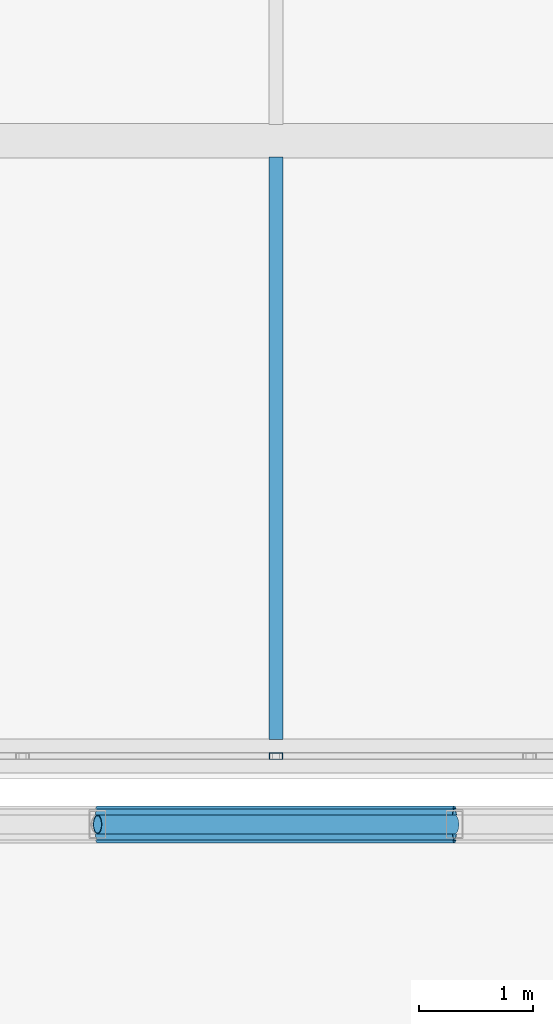
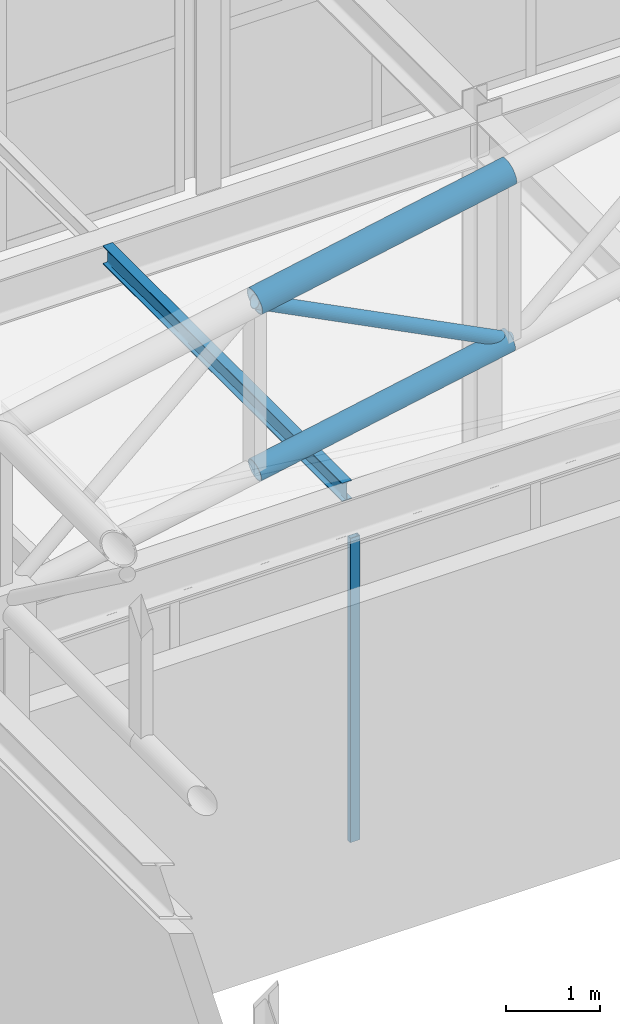
# One storey, part 63 of 112: 4 members, 1 beam, 1 element without a shape of its own.
"""IFC4 building model written with IfcOpenShell, lengths in metres."""

from ifc_helpers import new_model, si_unit, direction, frame, origin, origin_2d, place, context, subcontext, project, spatial, hollow_rectangle, hollow_circle, i_section, extrude, material, material_profile, profile_set, type_object, element, aggregate, save


model = new_model("IFC4")

# Units and contexts
model_context = context("Model", 3, precision=1e-05, world=origin(), true_north=direction((0.0, 1.0)))
body_context = subcontext(model_context, "Body", "Model", "MODEL_VIEW")
ifc_project = project(units=[si_unit("LENGTHUNIT", "METRE"), si_unit("AREAUNIT", "SQUARE_METRE"), si_unit("VOLUMEUNIT", "CUBIC_METRE"), si_unit("PLANEANGLEUNIT", "RADIAN"), si_unit("MASSUNIT", "GRAM", prefix="KILO")], contexts=[model_context])

# Site, building, storey
site_placement = place(None, origin())
site = spatial("IfcSite", under=ifc_project, at=site_placement, CompositionType="ELEMENT")
building_placement = place(site_placement, origin())
building = spatial("IfcBuilding", under=site, at=building_placement, Name="Kaldris Quays Convention Centre", CompositionType="ELEMENT")
storey_placement = place(building_placement, frame((0.0, 0.0, 16.800048828125)))
storey = spatial("IfcBuildingStorey", under=building, at=storey_placement, Name="L03", CompositionType="ELEMENT", Elevation=16.800048828125)

# Curtain wall, member
ifc_material_1 = material(Name="Anodized aluminium AW-6060 and triple glazing", Category="aluminium")
curtain_wall_type = type_object("IfcCurtainWallType", Name="UNITISED CURTAIN WALL CW06", PredefinedType="NOTDEFINED", material=ifc_material_1)
curtain_wall_placement = place(storey_placement, origin())
curtain_wall = element("IfcCurtainWall", 1, at=curtain_wall_placement, inside=storey, type_object=curtain_wall_type, Name="L03 Unitised Curtain Wall CW06 174", PredefinedType="NOTDEFINED")
ifc_material_2 = material(Name="Anodized aluminium AW-6060", Category="aluminium")
ifc_material_profile_1 = material_profile(ifc_material_2, hollow_rectangle(XDim=0.06005859375, YDim=0.1201171875, WallThickness=0.00390625, at=origin_2d()), Name="RHS 120x60x4")
ifc_profile_set_1 = profile_set([ifc_material_profile_1], Name="Anodized aluminium AW-6060")
member_type_1 = type_object("IfcMemberType", Name="CURTAIN MULLION CWM3", PredefinedType="MULLION", material=ifc_profile_set_1)
member_1_placement = place(storey_placement, frame((169.300048828125, 104.60009765625, 0.0), z_axis=(0.0, 0.0, 1.0), x_axis=(0.0, 1.0, 0.0)))
member_1 = element("IfcMember", 2, at=member_1_placement, type_object=member_type_1, Name="CW06 mullion 3", PredefinedType="MULLION", context=body_context, shape_type="SweptSolid", body=[
    extrude(hollow_rectangle(XDim=0.06005859375, YDim=0.1201171875, WallThickness=0.00390625, at=origin_2d()), origin(), (0.0, 0.0, 1.0), 3.967041015625),
])
aggregate(curtain_wall, [member_1])

# Beam
ifc_material_3 = material(Name="Steel S355J2", Category="steel")
ifc_material_profile_2 = material_profile(ifc_material_3, i_section(OverallWidth=0.1201171875, OverallDepth=0.239990234375, WebThickness=0.006103515625, FlangeThickness=0.009765625, FilletRadius=0.014892578125, at=origin_2d()), Name="IPE 240")
ifc_profile_set_2 = profile_set([ifc_material_profile_2], Name="Steel S355J2")
beam_type = type_object("IfcBeamType", Name="STRUCTURAL BEAM JT05", PredefinedType="JOIST", material=ifc_profile_set_2)
beam_placement = place(storey_placement, frame((169.300048828125, 104.743896484375, 4.4619140625), z_axis=(0.0, 1.0, 0.0), x_axis=(-1.0, 0.0, 0.0)))
element("IfcBeam", 3, at=beam_placement, inside=storey, type_object=beam_type, Name="L03 Secondary Joist JT05 28", PredefinedType="JOIST", context=body_context, shape_type="SweptSolid", body=[
    extrude(i_section(OverallWidth=0.1201171875, OverallDepth=0.239990234375, WebThickness=0.006103515625, FlangeThickness=0.009765625, FilletRadius=0.014892578125, at=origin_2d()), origin(), (0.0, 0.0, 1.0), 5.112060546875),
])

# Members
ifc_material_4 = material(Name="Steel S355J2H", Category="steel")
ifc_material_profile_3 = material_profile(ifc_material_4, hollow_circle(Radius=0.161865234375, WallThickness=0.01611328125, at=origin_2d()), Name="CHS 323.9x16")
ifc_profile_set_3 = profile_set([ifc_material_profile_3], Name="Steel S355J2H")
member_type_2 = type_object("IfcMemberType", Name="STRUCTURAL MEMBER SC03", PredefinedType="CHORD", material=ifc_profile_set_3)
member_2_placement = place(storey_placement, frame((167.7333984375, 104.0, 7.934814453125), z_axis=(0.981893858658, 0.0, 0.189431914761), x_axis=(0.0, 1.0, 0.0)))
element("IfcMember", 4, at=member_2_placement, inside=storey, type_object=member_type_2, Name="SF-V2 Top Chord X 62", PredefinedType="CHORD", context=body_context, shape_type="SweptSolid", body=[
    extrude(hollow_circle(Radius=0.161865234375, WallThickness=0.01611328125, at=origin_2d()), origin(), (0.0, 0.0, 1.0), 3.191162109375),
])
ifc_material_profile_4 = material_profile(ifc_material_4, hollow_circle(Radius=0.136474609375, WallThickness=0.012451171875, at=origin_2d()), Name="CHS 273x12.5")
ifc_profile_set_4 = profile_set([ifc_material_profile_4], Name="Steel S355J2H")
member_type_3 = type_object("IfcMemberType", Name="STRUCTURAL MEMBER SC04", PredefinedType="CHORD", material=ifc_profile_set_4)
member_3_placement = place(storey_placement, frame((167.7333984375, 104.0, 5.73486328125), z_axis=(0.981893858658, 0.0, 0.189431914761), x_axis=(0.0, 1.0, 0.0)))
element("IfcMember", 5, at=member_3_placement, inside=storey, type_object=member_type_3, Name="SF-V2 Bottom Chord X 62", PredefinedType="CHORD", context=body_context, shape_type="SweptSolid", body=[
    extrude(hollow_circle(Radius=0.136474609375, WallThickness=0.012451171875, at=origin_2d()), origin(), (0.0, 0.0, 1.0), 3.191162109375),
])
ifc_material_profile_5 = material_profile(ifc_material_4, hollow_circle(Radius=0.084228515625, WallThickness=0.008056640625, at=origin_2d()), Name="CHS 168.3x8")
ifc_profile_set_5 = profile_set([ifc_material_profile_5], Name="Steel S355J2H")
member_type_4 = type_object("IfcMemberType", Name="STRUCTURAL MEMBER SWB2", PredefinedType="BRACE", material=ifc_profile_set_5)
member_4_placement = place(storey_placement, frame((170.86669921875, 104.0, 6.33935546875), z_axis=(-0.891125852246, 0.0, 0.453756229112), x_axis=(0.0, -1.0, 0.0)))
element("IfcMember", 6, at=member_4_placement, inside=storey, type_object=member_type_4, Name="SF-V2 Web Diagonal X 62", PredefinedType="BRACE", context=body_context, shape_type="SweptSolid", body=[
    extrude(hollow_circle(Radius=0.084228515625, WallThickness=0.008056640625, at=origin_2d()), origin(), (0.0, 0.0, 1.0), 3.51611328125),
])

save(model, "model.ifc")
